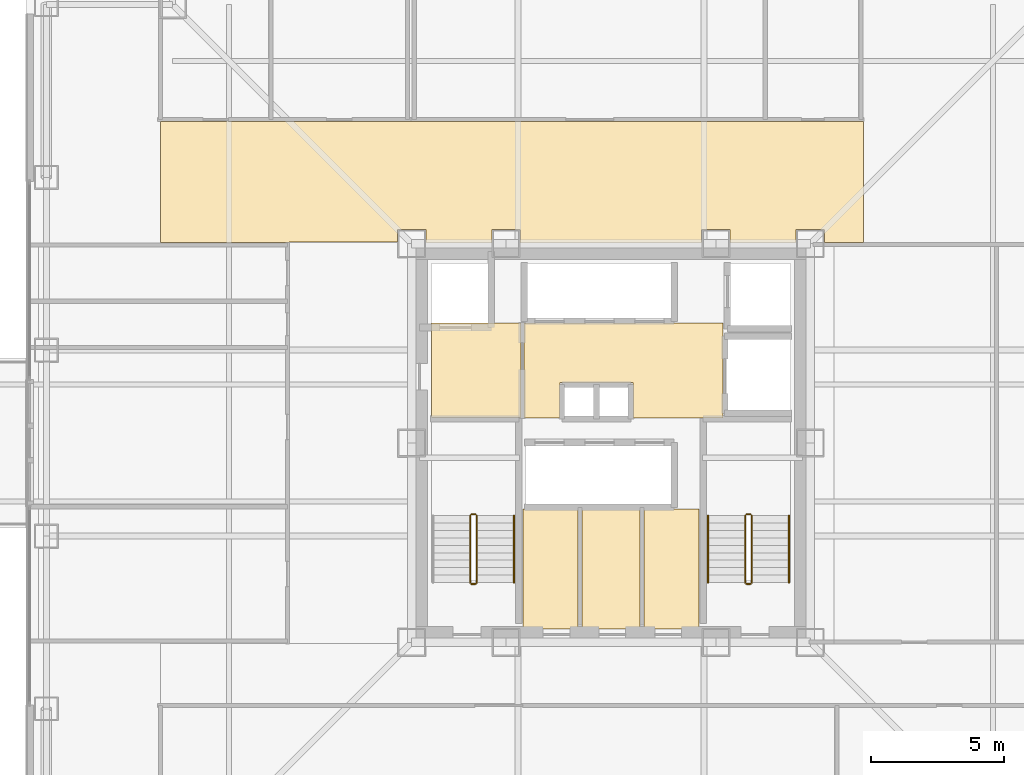
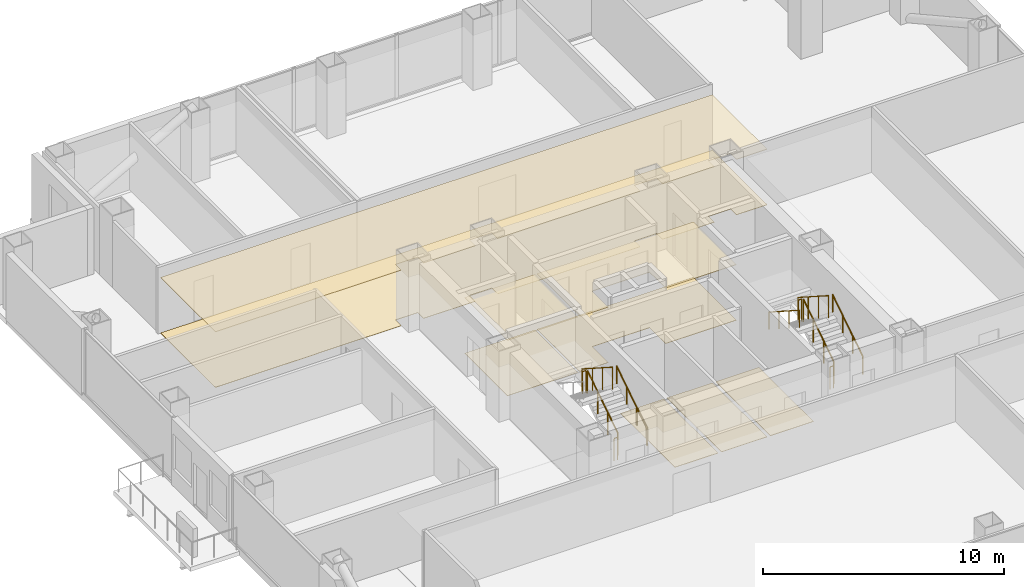
# One storey, part 15 of 16: 11 railings, 9 coverings.
"""IFC4 building model written with IfcOpenShell, lengths in metres."""

from ifc_helpers import new_model, si_unit, direction, frame, origin, origin_2d, place, context, subcontext, project, spatial, polyline, circle, outline, extrude, material, layer, layer_set, type_object, element, save


model = new_model("IFC4")

# Units and contexts
model_context = context("Model", 3, precision=1e-05, world=origin(), true_north=direction((0.0, 1.0)))
body_context = subcontext(model_context, "Body", "Model", "MODEL_VIEW")
ifc_project = project(units=[si_unit("LENGTHUNIT", "METRE"), si_unit("AREAUNIT", "SQUARE_METRE"), si_unit("VOLUMEUNIT", "CUBIC_METRE"), si_unit("PLANEANGLEUNIT", "RADIAN"), si_unit("MASSUNIT", "GRAM", prefix="KILO")], contexts=[model_context])

# Site, building, storey
site_placement = place(None, origin())
site = spatial("IfcSite", under=ifc_project, at=site_placement, CompositionType="ELEMENT")
building_placement = place(site_placement, origin())
building = spatial("IfcBuilding", under=site, at=building_placement, Name="Trevonay Congress Spire", CompositionType="ELEMENT")
storey_placement = place(building_placement, frame((0.0, 0.0, 144.39990234375)))
storey = spatial("IfcBuildingStorey", under=building, at=storey_placement, Name="L37", CompositionType="ELEMENT", Elevation=144.39990234375)

# Coverings
ifc_material_1 = material(Name="Acoustic Mineral Fibre Board", Category="gypsum")
ifc_layer_1 = layer(ifc_material_1, 0.02490234375, Name="Acoustic Mineral Fibre Board")
ifc_layer_set_1 = layer_set([ifc_layer_1], Name="Acoustic Mineral Fibre Board")
covering_type_1 = type_object("IfcCoveringType", Name="COV-CEIL-ACOUSTIC", PredefinedType="CEILING", material=ifc_layer_set_1)
covering_1_placement = place(storey_placement, frame((0.0, 0.0, 2.81005859375)))
element("IfcCovering", 1, at=covering_1_placement, inside=storey, type_object=covering_type_1, Name="L37 Firefighting Lift Lobby West acoustic suspended ceiling", PredefinedType="CEILING", context=body_context, shape_type="SweptSolid", body=[
    extrude(outline(polyline([(-6.75, 0.9599609375), (-3.3798828125, 0.9599609375), (-3.3798828125, 4.52001953125), (-6.75, 4.52001953125), (-6.75, 0.9599609375)])), origin(), (0.0, 0.0, 1.0), 0.025146484375),
])
covering_2_placement = place(storey_placement, frame((0.0, 0.0, 2.81005859375)))
element("IfcCovering", 2, at=covering_2_placement, inside=storey, type_object=covering_type_1, Name="L37 Central and High-Rise Passenger Lift Lobby acoustic suspended ceiling", PredefinedType="CEILING", context=body_context, shape_type="SweptSolid", body=[
    extrude(outline(polyline([(-3.280029296875, 0.949951171875), (-1.919921875, 0.949951171875), (-1.919921875, 2.280029296875), (0.820068359375, 2.280029296875), (0.820068359375, 0.949951171875), (4.219970703125, 0.949951171875), (4.219970703125, 4.52001953125), (-3.280029296875, 4.52001953125), (-3.280029296875, 0.949951171875)])), origin(), (0.0, 0.0, 1.0), 0.025146484375),
])
covering_3_placement = place(storey_placement, frame((0.0, 0.0, 2.81005859375)))
element("IfcCovering", 3, at=covering_3_placement, inside=storey, type_object=covering_type_1, Name="L37 North Sky Promenade Salon acoustic suspended ceiling", PredefinedType="CEILING", context=body_context, shape_type="SweptSolid", body=[
    extrude(outline(polyline([(-16.949951171875, 12.10009765625), (9.5, 12.10009765625), (9.5, 7.550048828125), (8.034912109375, 7.550048828125), (8.034912109375, 8.034912109375), (6.965087890625, 8.034912109375), (6.965087890625, 7.550048828125), (4.485107421875, 7.550048828125), (4.485107421875, 8.034912109375), (3.4150390625, 8.034912109375), (3.4150390625, 7.550048828125), (-3.4150390625, 7.550048828125), (-3.4150390625, 8.034912109375), (-4.485107421875, 8.034912109375), (-4.485107421875, 7.550048828125), (-6.965087890625, 7.550048828125), (-6.965087890625, 8.034912109375), (-8.034912109375, 8.034912109375), (-8.034912109375, 7.56005859375), (-12.110107421875, 7.56005859375), (-12.110107421875, 7.550048828125), (-16.949951171875, 7.550048828125), (-16.949951171875, 12.10009765625)])), origin(), (0.0, 0.0, 1.0), 0.025146484375),
])
ifc_material_2 = material(Name="Polished Granite Floor Tile", Category="masonry")
ifc_layer_2 = layer(ifc_material_2, 0.02001953125, Name="Polished Granite Floor Tile")
ifc_layer_set_2 = layer_set([ifc_layer_2], Name="Polished Granite Floor Tile")
covering_type_2 = type_object("IfcCoveringType", Name="COV-FLOOR-STONE", PredefinedType="FLOORING", material=ifc_layer_set_2)
covering_4_placement = place(storey_placement, origin())
element("IfcCovering", 4, at=covering_4_placement, inside=storey, type_object=covering_type_2, Name="L37 Firefighting Lift Lobby West floor finish", PredefinedType="FLOORING", context=body_context, shape_type="SweptSolid", body=[
    extrude(outline(polyline([(-6.75, 0.9599609375), (-3.3798828125, 0.9599609375), (-3.3798828125, 4.52001953125), (-6.75, 4.52001953125), (-6.75, 0.9599609375)])), origin(), (0.0, 0.0, 1.0), 0.02001953125),
])
covering_5_placement = place(storey_placement, origin())
element("IfcCovering", 5, at=covering_5_placement, inside=storey, type_object=covering_type_2, Name="L37 Central and High-Rise Passenger Lift Lobby floor finish", PredefinedType="FLOORING", context=body_context, shape_type="SweptSolid", body=[
    extrude(outline(polyline([(-3.280029296875, 0.949951171875), (-1.919921875, 0.949951171875), (-1.919921875, 2.280029296875), (0.820068359375, 2.280029296875), (0.820068359375, 0.949951171875), (4.219970703125, 0.949951171875), (4.219970703125, 4.52001953125), (-3.280029296875, 4.52001953125), (-3.280029296875, 0.949951171875)])), origin(), (0.0, 0.0, 1.0), 0.02001953125),
])
covering_6_placement = place(storey_placement, origin())
element("IfcCovering", 6, at=covering_6_placement, inside=storey, type_object=covering_type_2, Name="L37 Core AHU Fan Plant Room floor finish", PredefinedType="FLOORING", context=body_context, shape_type="SweptSolid", body=[
    extrude(outline(polyline([(-3.320068359375, -7.0), (-1.25, -7.0), (-1.25, -2.47998046875), (-3.320068359375, -2.47998046875), (-3.320068359375, -7.0)])), origin(), (0.0, 0.0, 1.0), 0.02001953125),
])
covering_7_placement = place(storey_placement, origin())
element("IfcCovering", 7, at=covering_7_placement, inside=storey, type_object=covering_type_2, Name="L37 Core IT Comms Store floor finish", PredefinedType="FLOORING", context=body_context, shape_type="SweptSolid", body=[
    extrude(outline(polyline([(-1.090087890625, -7.0), (1.090087890625, -7.0), (1.090087890625, -2.47998046875), (-1.090087890625, -2.47998046875), (-1.090087890625, -7.0)])), origin(), (0.0, 0.0, 1.0), 0.02001953125),
])
covering_8_placement = place(storey_placement, origin())
element("IfcCovering", 8, at=covering_8_placement, inside=storey, type_object=covering_type_2, Name="L37 Housekeeping Linen Store floor finish", PredefinedType="FLOORING", context=body_context, shape_type="SweptSolid", body=[
    extrude(outline(polyline([(1.25, -7.0), (3.320068359375, -7.0), (3.320068359375, -2.47998046875), (1.25, -2.47998046875), (1.25, -7.0)])), origin(), (0.0, 0.0, 1.0), 0.02001953125),
])
ifc_material_3 = material(Name="Engineered Oak Flooring", Category="wood")
ifc_layer_3 = layer(ifc_material_3, 0.01806640625, Name="Engineered Oak Flooring")
ifc_layer_set_3 = layer_set([ifc_layer_3], Name="Engineered Oak Flooring")
covering_type_3 = type_object("IfcCoveringType", Name="COV-FLOOR-TIMBER", PredefinedType="FLOORING", material=ifc_layer_set_3)
covering_9_placement = place(storey_placement, origin())
element("IfcCovering", 9, at=covering_9_placement, inside=storey, type_object=covering_type_3, Name="L37 North Sky Promenade Salon floor finish", PredefinedType="FLOORING", context=body_context, shape_type="SweptSolid", body=[
    extrude(outline(polyline([(-16.949951171875, 12.10009765625), (9.5, 12.10009765625), (9.5, 7.550048828125), (8.034912109375, 7.550048828125), (8.034912109375, 8.034912109375), (6.965087890625, 8.034912109375), (6.965087890625, 7.550048828125), (4.485107421875, 7.550048828125), (4.485107421875, 8.034912109375), (3.4150390625, 8.034912109375), (3.4150390625, 7.550048828125), (-3.4150390625, 7.550048828125), (-3.4150390625, 8.034912109375), (-4.485107421875, 8.034912109375), (-4.485107421875, 7.550048828125), (-6.965087890625, 7.550048828125), (-6.965087890625, 8.034912109375), (-8.034912109375, 8.034912109375), (-8.034912109375, 7.56005859375), (-12.110107421875, 7.56005859375), (-12.110107421875, 7.550048828125), (-16.949951171875, 7.550048828125), (-16.949951171875, 12.10009765625)])), origin(), (0.0, 0.0, 1.0), 0.01806640625),
])

# Railings
ifc_material_4 = material(Name="Pale Anodised Aluminium EN AW-6063-T6", Category="aluminium")
railing_type_1 = type_object("IfcRailingType", Name="RAL-STAIR-GUARD-110", PredefinedType="GUARDRAIL", material=ifc_material_4)
railing_1_placement = place(storey_placement, frame((-5.050048828125, -5.25, 0.18017578125)))
element("IfcRailing", 10, at=railing_1_placement, inside=storey, type_object=railing_type_1, Name="L37 ST-1 stair guard 1", PredefinedType="GUARDRAIL", context=body_context, shape_type="SweptSolid", body=[
    extrude(circle(Radius=0.02392578125, at=origin_2d()), frame((0.0, 0.0, 1.1259765625), z_axis=(0.0, 0.841199657755, 0.540724639528), x_axis=(-1.0, 0.0, 0.0)), (0.0, 0.0, 1.0), 2.995849609375),
    extrude(circle(Radius=0.02099609375, at=origin_2d()), origin(), (0.0, 0.0, 1.0), 1.101806640625),
    extrude(circle(Radius=0.02099609375, at=origin_2d()), frame((0.0, 0.840087890625, 0.5400390625)), (0.0, 0.0, 1.0), 1.101806640625),
    extrude(circle(Radius=0.02099609375, at=origin_2d()), frame((0.0, 1.679931640625, 1.079833984375)), (0.0, 0.0, 1.0), 1.101806640625),
    extrude(circle(Radius=0.02099609375, at=origin_2d()), frame((0.0, 2.52001953125, 1.619873046875)), (0.0, 0.0, 1.0), 1.101806640625),
])
railing_2_placement = place(storey_placement, frame((-5.10009765625, -2.679931640625, 1.800048828125)))
element("IfcRailing", 11, at=railing_2_placement, inside=storey, type_object=railing_type_1, Name="L37 ST-1 stair guard 2", PredefinedType="GUARDRAIL", context=body_context, shape_type="SweptSolid", body=[
    extrude(circle(Radius=0.02392578125, at=origin_2d()), frame((0.0, 0.0, 1.1259765625), z_axis=(-1.0, 0.0, 0.0), x_axis=(0.0, -1.0, 0.0)), (0.0, 0.0, 1.0), 0.14990234375),
    extrude(circle(Radius=0.02099609375, at=origin_2d()), origin(), (0.0, 0.0, 1.0), 1.101806640625),
    extrude(circle(Radius=0.02099609375, at=origin_2d()), frame((-0.14990234375, 0.0, 0.0)), (0.0, 0.0, 1.0), 1.101806640625),
])
railing_3_placement = place(storey_placement, frame((-5.300048828125, -2.72998046875, 1.97998046875)))
element("IfcRailing", 12, at=railing_3_placement, inside=storey, type_object=railing_type_1, Name="L37 ST-1 stair guard 3", PredefinedType="GUARDRAIL", context=body_context, shape_type="SweptSolid", body=[
    extrude(circle(Radius=0.02392578125, at=origin_2d()), frame((0.0, 0.0, 1.1259765625), z_axis=(0.0, -0.841162588446, 0.540782303519), x_axis=(1.0, 0.0, 0.0)), (0.0, 0.0, 1.0), 2.995849609375),
    extrude(circle(Radius=0.02099609375, at=origin_2d()), origin(), (0.0, 0.0, 1.0), 1.101806640625),
    extrude(circle(Radius=0.02099609375, at=origin_2d()), frame((0.0, -0.840087890625, 0.5400390625)), (0.0, 0.0, 1.0), 1.101806640625),
    extrude(circle(Radius=0.02099609375, at=origin_2d()), frame((0.0, -1.679931640625, 1.080078125)), (0.0, 0.0, 1.0), 1.101806640625),
    extrude(circle(Radius=0.02099609375, at=origin_2d()), frame((0.0, -2.52001953125, 1.6201171875)), (0.0, 0.0, 1.0), 1.101806640625),
])
railing_4_placement = place(storey_placement, frame((-5.10009765625, -5.300048828125, 0.0)))
element("IfcRailing", 13, at=railing_4_placement, inside=storey, type_object=railing_type_1, Name="L37 ST-1 stair guard 4", PredefinedType="GUARDRAIL", context=body_context, shape_type="SweptSolid", body=[
    extrude(circle(Radius=0.02392578125, at=origin_2d()), frame((0.0, 0.0, 1.1259765625), z_axis=(-1.0, 0.0, 0.0), x_axis=(0.0, -1.0, 0.0)), (0.0, 0.0, 1.0), 0.14990234375),
    extrude(circle(Radius=0.02099609375, at=origin_2d()), origin(), (0.0, 0.0, 1.0), 1.101806640625),
    extrude(circle(Radius=0.02099609375, at=origin_2d()), frame((-0.14990234375, 0.0, 0.0)), (0.0, 0.0, 1.0), 1.101806640625),
])
railing_5_placement = place(storey_placement, frame((5.300048828125, -5.25, 0.18017578125)))
element("IfcRailing", 14, at=railing_5_placement, inside=storey, type_object=railing_type_1, Name="L37 ST-2 stair guard 1", PredefinedType="GUARDRAIL", context=body_context, shape_type="SweptSolid", body=[
    extrude(circle(Radius=0.02392578125, at=origin_2d()), frame((0.0, 0.0, 1.1259765625), z_axis=(0.0, 0.841199657755, 0.540724639528), x_axis=(-1.0, 0.0, 0.0)), (0.0, 0.0, 1.0), 2.995849609375),
    extrude(circle(Radius=0.02099609375, at=origin_2d()), origin(), (0.0, 0.0, 1.0), 1.101806640625),
    extrude(circle(Radius=0.02099609375, at=origin_2d()), frame((0.0, 0.840087890625, 0.5400390625)), (0.0, 0.0, 1.0), 1.101806640625),
    extrude(circle(Radius=0.02099609375, at=origin_2d()), frame((0.0, 1.679931640625, 1.079833984375)), (0.0, 0.0, 1.0), 1.101806640625),
    extrude(circle(Radius=0.02099609375, at=origin_2d()), frame((0.0, 2.52001953125, 1.619873046875)), (0.0, 0.0, 1.0), 1.101806640625),
])
railing_6_placement = place(storey_placement, frame((5.25, -2.679931640625, 1.800048828125)))
element("IfcRailing", 15, at=railing_6_placement, inside=storey, type_object=railing_type_1, Name="L37 ST-2 stair guard 2", PredefinedType="GUARDRAIL", context=body_context, shape_type="SweptSolid", body=[
    extrude(circle(Radius=0.02392578125, at=origin_2d()), frame((0.0, 0.0, 1.1259765625), z_axis=(-1.0, 0.0, 0.0), x_axis=(0.0, -1.0, 0.0)), (0.0, 0.0, 1.0), 0.14990234375),
    extrude(circle(Radius=0.02099609375, at=origin_2d()), origin(), (0.0, 0.0, 1.0), 1.101806640625),
    extrude(circle(Radius=0.02099609375, at=origin_2d()), frame((-0.14990234375, 0.0, 0.0)), (0.0, 0.0, 1.0), 1.101806640625),
])
railing_7_placement = place(storey_placement, frame((5.050048828125, -2.72998046875, 1.97998046875)))
element("IfcRailing", 16, at=railing_7_placement, inside=storey, type_object=railing_type_1, Name="L37 ST-2 stair guard 3", PredefinedType="GUARDRAIL", context=body_context, shape_type="SweptSolid", body=[
    extrude(circle(Radius=0.02392578125, at=origin_2d()), frame((0.0, 0.0, 1.1259765625), z_axis=(0.0, -0.841162588446, 0.540782303519), x_axis=(1.0, 0.0, 0.0)), (0.0, 0.0, 1.0), 2.995849609375),
    extrude(circle(Radius=0.02099609375, at=origin_2d()), origin(), (0.0, 0.0, 1.0), 1.101806640625),
    extrude(circle(Radius=0.02099609375, at=origin_2d()), frame((0.0, -0.840087890625, 0.5400390625)), (0.0, 0.0, 1.0), 1.101806640625),
    extrude(circle(Radius=0.02099609375, at=origin_2d()), frame((0.0, -1.679931640625, 1.080078125)), (0.0, 0.0, 1.0), 1.101806640625),
    extrude(circle(Radius=0.02099609375, at=origin_2d()), frame((0.0, -2.52001953125, 1.6201171875)), (0.0, 0.0, 1.0), 1.101806640625),
])
railing_8_placement = place(storey_placement, frame((5.25, -5.300048828125, 0.0)))
element("IfcRailing", 17, at=railing_8_placement, inside=storey, type_object=railing_type_1, Name="L37 ST-2 stair guard 4", PredefinedType="GUARDRAIL", context=body_context, shape_type="SweptSolid", body=[
    extrude(circle(Radius=0.02392578125, at=origin_2d()), frame((0.0, 0.0, 1.1259765625), z_axis=(-1.0, 0.0, 0.0), x_axis=(0.0, -1.0, 0.0)), (0.0, 0.0, 1.0), 0.14990234375),
    extrude(circle(Radius=0.02099609375, at=origin_2d()), origin(), (0.0, 0.0, 1.0), 1.101806640625),
    extrude(circle(Radius=0.02099609375, at=origin_2d()), frame((-0.14990234375, 0.0, 0.0)), (0.0, 0.0, 1.0), 1.101806640625),
])
railing_type_2 = type_object("IfcRailingType", Name="RAL-STAIR-HANDRAIL", PredefinedType="HANDRAIL", material=ifc_material_4)
for number, where, name in (
    (18, (-3.64990234375, -5.25, 0.18017578125), "L37 ST-1 stair handrail 1"),
    (19, (6.699951171875, -5.25, 0.18017578125), "L37 ST-2 stair handrail 1"),
):
    element("IfcRailing", number, at=place(storey_placement, frame(where)), inside=storey, type_object=railing_type_2, Name=name, PredefinedType="HANDRAIL", context=body_context, shape_type="SweptSolid", body=[
        extrude(circle(Radius=0.02392578125, at=origin_2d()), frame((0.0, 0.0, 0.8759765625), z_axis=(0.0, 0.841199657755, 0.540724639528), x_axis=(-1.0, 0.0, 0.0)), (0.0, 0.0, 1.0), 2.995849609375),
        extrude(circle(Radius=0.02099609375, at=origin_2d()), origin(), (0.0, 0.0, 1.0), 0.851806640625),
        extrude(circle(Radius=0.02099609375, at=origin_2d()), frame((0.0, 0.840087890625, 0.5400390625)), (0.0, 0.0, 1.0), 0.851806640625),
        extrude(circle(Radius=0.02099609375, at=origin_2d()), frame((0.0, 1.679931640625, 1.079833984375)), (0.0, 0.0, 1.0), 0.851806640625),
        extrude(circle(Radius=0.02099609375, at=origin_2d()), frame((0.0, 2.52001953125, 1.619873046875)), (0.0, 0.0, 1.0), 0.851806640625),
    ])
railing_9_placement = place(storey_placement, frame((3.64990234375, -2.72998046875, 1.97998046875)))
element("IfcRailing", 20, at=railing_9_placement, inside=storey, type_object=railing_type_2, Name="L37 ST-2 stair handrail 2", PredefinedType="HANDRAIL", context=body_context, shape_type="SweptSolid", body=[
    extrude(circle(Radius=0.02392578125, at=origin_2d()), frame((0.0, 0.0, 0.8759765625), z_axis=(0.0, -0.841162588446, 0.540782303519), x_axis=(1.0, 0.0, 0.0)), (0.0, 0.0, 1.0), 2.995849609375),
    extrude(circle(Radius=0.02099609375, at=origin_2d()), origin(), (0.0, 0.0, 1.0), 0.851806640625),
    extrude(circle(Radius=0.02099609375, at=origin_2d()), frame((0.0, -0.840087890625, 0.5400390625)), (0.0, 0.0, 1.0), 0.851806640625),
    extrude(circle(Radius=0.02099609375, at=origin_2d()), frame((0.0, -1.679931640625, 1.080078125)), (0.0, 0.0, 1.0), 0.851806640625),
    extrude(circle(Radius=0.02099609375, at=origin_2d()), frame((0.0, -2.52001953125, 1.6201171875)), (0.0, 0.0, 1.0), 0.851806640625),
])

save(model, "model.ifc")
